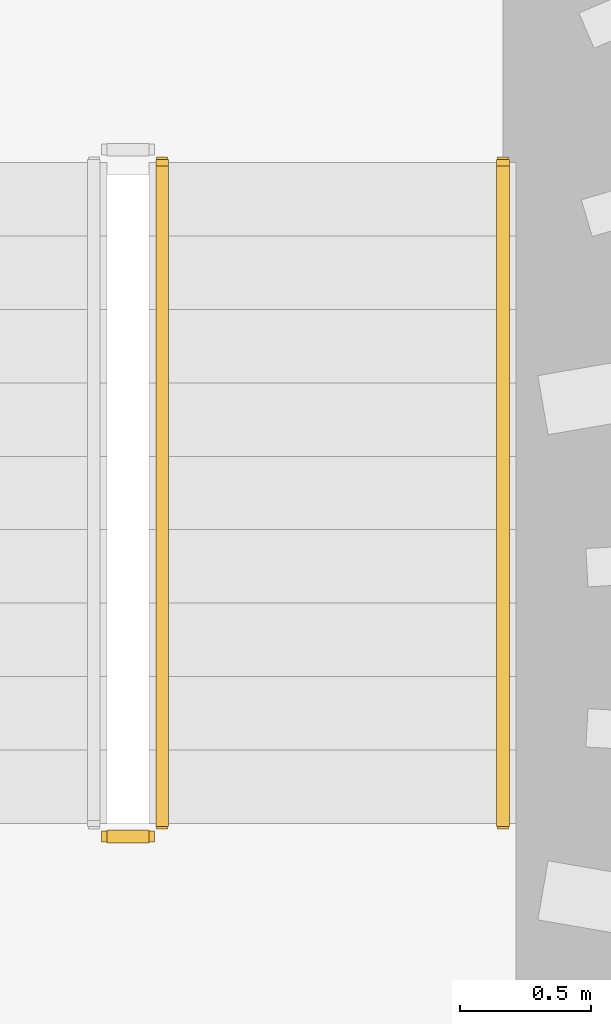
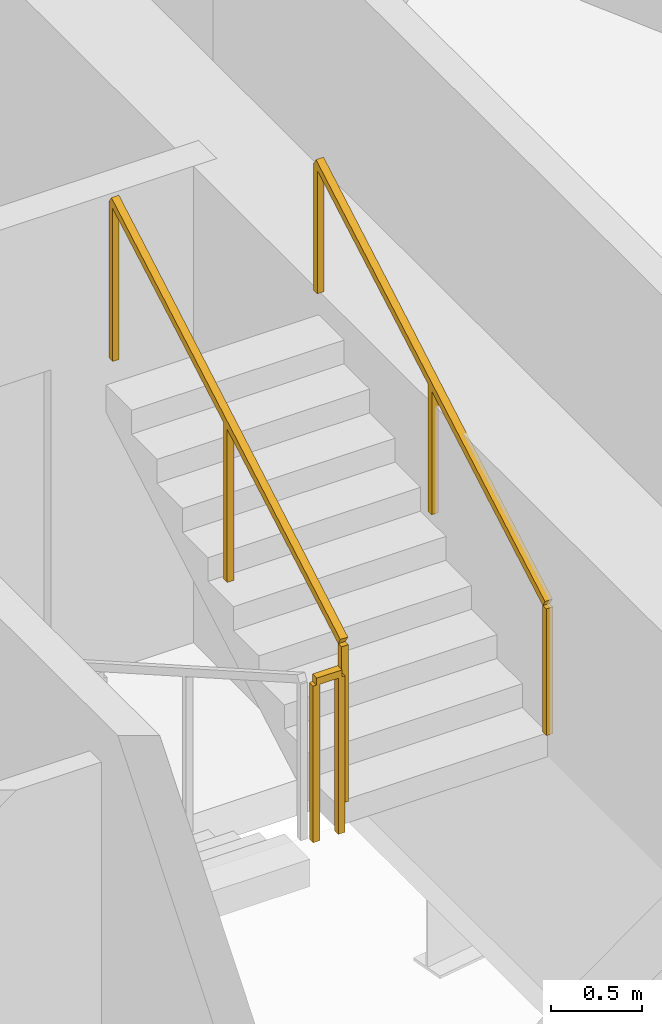
# One storey, part 12 of 14: 3 railings.
"""IFC4 building model written with IfcOpenShell, lengths in metres."""

from ifc_helpers import new_model, si_unit, direction, frame, origin, origin_2d, place, context, subcontext, project, spatial, rectangle, extrude, material, type_object, element, save


model = new_model("IFC4")

# Units and contexts
model_context = context("Model", 3, precision=1e-05, world=origin(), true_north=direction((0.0, 1.0)))
body_context = subcontext(model_context, "Body", "Model", "MODEL_VIEW")
ifc_project = project(units=[si_unit("LENGTHUNIT", "METRE"), si_unit("AREAUNIT", "SQUARE_METRE"), si_unit("VOLUMEUNIT", "CUBIC_METRE"), si_unit("PLANEANGLEUNIT", "RADIAN"), si_unit("MASSUNIT", "GRAM", prefix="KILO")], contexts=[model_context])

# Site, building, storey
site_placement = place(None, origin())
site = spatial("IfcSite", under=ifc_project, at=site_placement, CompositionType="ELEMENT")
building_placement = place(site_placement, origin())
building = spatial("IfcBuilding", under=site, at=building_placement, Name="Veldorim Arch Residences", CompositionType="ELEMENT")
storey_placement = place(building_placement, frame((0.0, 0.0, 126.56005859375)))
storey = spatial("IfcBuildingStorey", under=building, at=storey_placement, Name="L37", CompositionType="ELEMENT", Elevation=126.56005859375)

# Railings
ifc_material_1 = material(Name="Steel S355", Category="steel")
railing_type_1 = type_object("IfcRailingType", Name="Galvanised Steel Stair Safety Guardrail 1100", PredefinedType="GUARDRAIL", material=ifc_material_1)
railing_1_placement = place(storey_placement, frame((35.68994140625, 23.280029296875, 1.599853515625)))
element("IfcRailing", 1, at=railing_1_placement, inside=storey, type_object=railing_type_1, Name="L37 ST-2 stair guard 2", PredefinedType="GUARDRAIL", context=body_context, shape_type="SweptSolid", body=[
    extrude(rectangle(XDim=0.048095703125, YDim=0.048095703125, at=origin_2d()), frame((0.0, 0.0, 1.076171875), z_axis=(1.0, 0.0, 0.0), x_axis=(0.0, 1.0, 0.0)), (0.0, 0.0, 1.0), 0.16015625),
    extrude(rectangle(XDim=0.0419921875, YDim=0.0419921875, at=origin_2d()), origin(), (0.0, 0.0, 1.0), 1.052001953125),
    extrude(rectangle(XDim=0.0419921875, YDim=0.0419921875, at=origin_2d()), frame((0.16015625, 0.0, 0.0)), (0.0, 0.0, 1.0), 1.052001953125),
])
railing_2_placement = place(storey_placement, frame((35.89990234375, 23.330078125, 1.760009765625)))
element("IfcRailing", 2, at=railing_2_placement, inside=storey, type_object=railing_type_1, Name="L37 ST-2 stair guard 3", PredefinedType="GUARDRAIL", context=body_context, shape_type="SweptSolid", body=[
    extrude(rectangle(XDim=0.048095703125, YDim=0.048095703125, at=origin_2d()), frame((0.0, 0.0, 1.076171875), z_axis=(0.0, 0.868253494771, 0.496120820787), x_axis=(-1.0, 0.0, 0.0)), (0.0, 0.0, 1.0), 2.90234375),
    extrude(rectangle(XDim=0.0419921875, YDim=0.0419921875, at=origin_2d()), origin(), (0.0, 0.0, 1.0), 1.052001953125),
    extrude(rectangle(XDim=0.0419921875, YDim=0.0419921875, at=origin_2d()), frame((0.0, 1.260009765625, 0.719970703125)), (0.0, 0.0, 1.0), 1.052001953125),
    extrude(rectangle(XDim=0.0419921875, YDim=0.0419921875, at=origin_2d()), frame((0.0, 2.52001953125, 1.43994140625)), (0.0, 0.0, 1.0), 1.052001953125),
])
ifc_material_2 = material(Name="Stainless Steel", Category="steel")
railing_type_2 = type_object("IfcRailingType", Name="Tubular Steel Continuous Wall Handrail 900", PredefinedType="HANDRAIL", material=ifc_material_2)
railing_3_placement = place(storey_placement, frame((37.199951171875, 23.330078125, 1.760009765625)))
element("IfcRailing", 3, at=railing_3_placement, inside=storey, type_object=railing_type_2, Name="L37 ST-2 stair handrail 2", PredefinedType="HANDRAIL", context=body_context, shape_type="SweptSolid", body=[
    extrude(rectangle(XDim=0.048095703125, YDim=0.048095703125, at=origin_2d()), frame((0.0, 0.0, 0.8759765625), z_axis=(0.0, 0.868253494771, 0.496120820787), x_axis=(-1.0, 0.0, 0.0)), (0.0, 0.0, 1.0), 2.90234375),
    extrude(rectangle(XDim=0.0419921875, YDim=0.0419921875, at=origin_2d()), origin(), (0.0, 0.0, 1.0), 0.851806640625),
    extrude(rectangle(XDim=0.0419921875, YDim=0.0419921875, at=origin_2d()), frame((0.0, 1.260009765625, 0.719970703125)), (0.0, 0.0, 1.0), 0.851806640625),
    extrude(rectangle(XDim=0.0419921875, YDim=0.0419921875, at=origin_2d()), frame((0.0, 2.52001953125, 1.43994140625)), (0.0, 0.0, 1.0), 0.851806640625),
])

save(model, "model.ifc")
